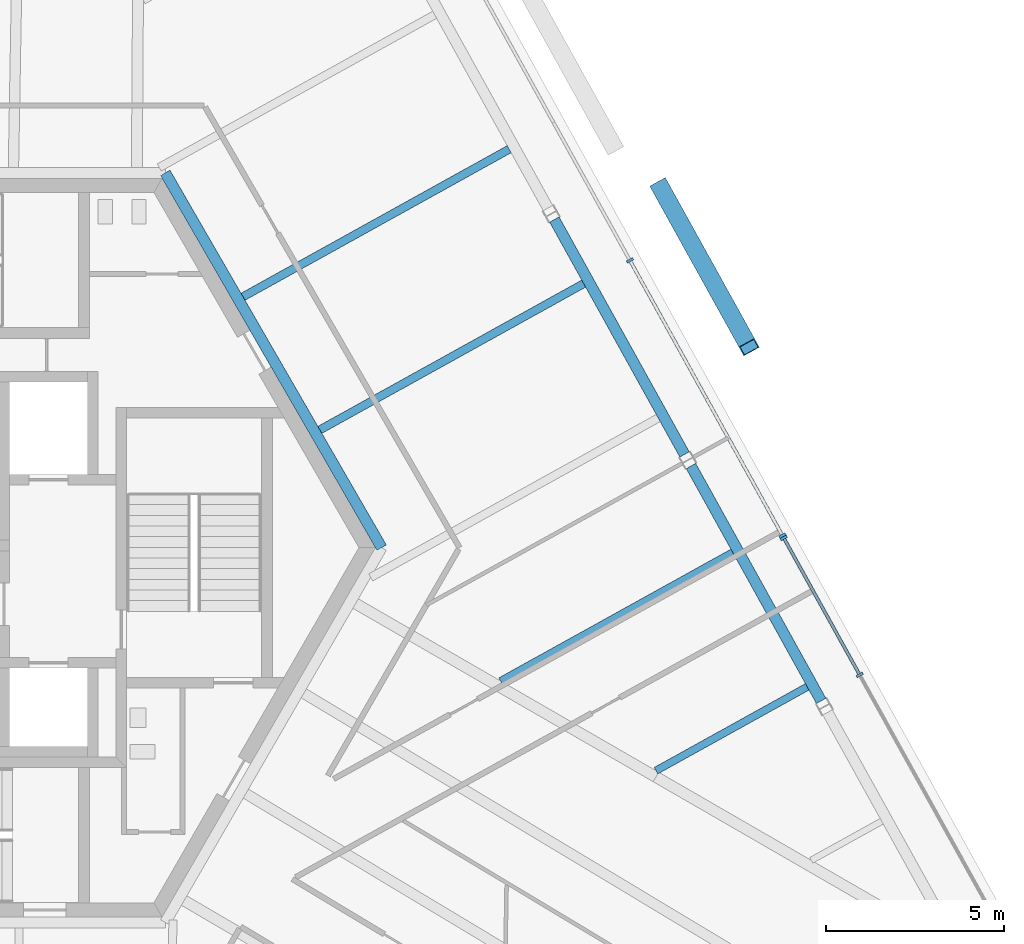
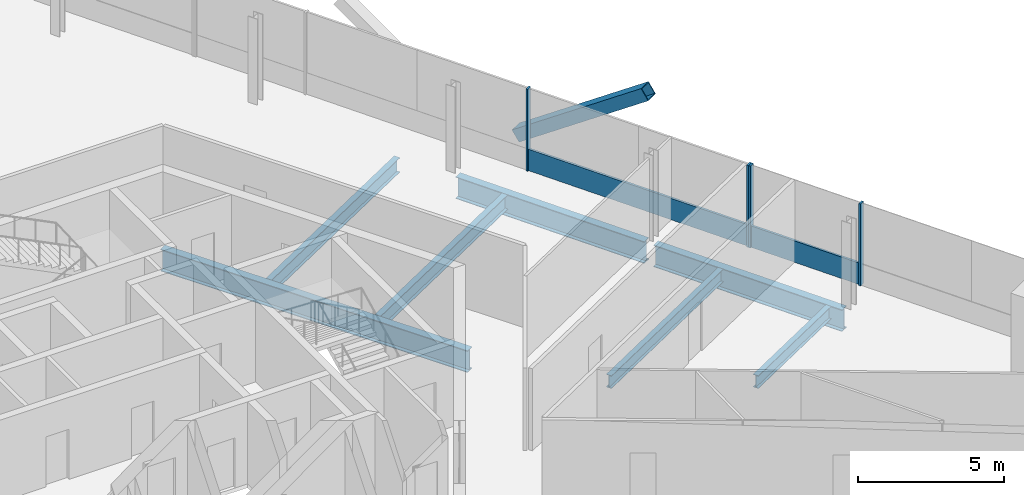
# One storey, part 7 of 18: 7 beams, 7 members, 2 elements without a shape of their own.
"""IFC4 building model written with IfcOpenShell, lengths in metres."""

from ifc_helpers import new_model, si_unit, direction, frame, origin, origin_2d, place, context, subcontext, project, spatial, rectangle, hollow_rectangle, i_section, extrude, source, transform, mapped, material, material_profile, profile_set, type_object, element, aggregate, save


model = new_model("IFC4")

# Units and contexts
model_context = context("Model", 3, precision=1e-05, world=origin(), true_north=direction((0.0, 1.0)))
body_context = subcontext(model_context, "Body", "Model", "MODEL_VIEW")
ifc_project = project(units=[si_unit("LENGTHUNIT", "METRE"), si_unit("AREAUNIT", "SQUARE_METRE"), si_unit("VOLUMEUNIT", "CUBIC_METRE"), si_unit("PLANEANGLEUNIT", "RADIAN"), si_unit("MASSUNIT", "GRAM", prefix="KILO")], contexts=[model_context])

# Site, building, storey
site_placement = place(None, origin())
site = spatial("IfcSite", under=ifc_project, at=site_placement, CompositionType="ELEMENT")
building_placement = place(site_placement, origin())
building = spatial("IfcBuilding", under=site, at=building_placement, Name="Triune Harvest Tower", CompositionType="ELEMENT")
storey_placement = place(building_placement, frame((0.0, 0.0, 197.89990234375)))
storey = spatial("IfcBuildingStorey", under=building, at=storey_placement, Name="L51", CompositionType="ELEMENT", Elevation=197.89990234375)

# Beams
ifc_material_1 = material(Name="Steel ASTM A992 Gr 50", Category="steel")
ifc_material_profile_1 = material_profile(ifc_material_1, i_section(OverallWidth=0.3046875, OverallDepth=0.914306640625, WebThickness=0.0166015625, FlangeThickness=0.02587890625, at=origin_2d()), Name="W36x160")
ifc_profile_set_1 = profile_set([ifc_material_profile_1], Name="Steel ASTM A992 Gr 50")
beam_type_1 = type_object("IfcBeamType", Name="CG-1 Core ring girder W36x160", PredefinedType="BEAM", material=ifc_profile_set_1)
shared_shape_1 = source(origin(), body_context, "Body", "SweptSolid", [
    extrude(i_section(OverallWidth=0.3046875, OverallDepth=0.914306640625, WebThickness=0.0166015625, FlangeThickness=0.02587890625, at=origin_2d()), origin(), (0.0, 0.0, 1.0), 12.176025390625),
])
beam_1_placement = place(storey_placement, frame((12.176025390625, 0.0, -0.6171875), z_axis=(-0.5000099932, 0.866019634131, 0.0), x_axis=(-0.866019634131, -0.5000099932, 0.0)))
element("IfcBeam", 1, at=beam_1_placement, inside=storey, type_object=beam_type_1, Name="beam/L51/CG1", PredefinedType="BEAM", context=body_context, shape_type="MappedRepresentation", body=[
    mapped(shared_shape_1, transform((0.0, 0.0, 0.0), scale=1.0)),
])
ifc_material_2 = material(Name="Steel ASTM A992 Gr 50", Category="steel")
ifc_material_profile_2 = material_profile(ifc_material_2, i_section(OverallWidth=0.3046875, OverallDepth=0.914306640625, WebThickness=0.0166015625, FlangeThickness=0.02587890625, at=origin_2d()), Name="W36x160")
ifc_profile_set_2 = profile_set([ifc_material_profile_2], Name="Steel ASTM A992 Gr 50")
beam_type_2 = type_object("IfcBeamType", Name="SB-1 Spandrel beam W36x160", PredefinedType="SPANDREL", material=ifc_profile_set_2)
shared_shape_2 = source(origin(), body_context, "Body", "SweptSolid", [
    extrude(i_section(OverallWidth=0.3046875, OverallDepth=0.914306640625, WebThickness=0.0166015625, FlangeThickness=0.02587890625, at=origin_2d()), origin(), (0.0, 0.0, 1.0), 7.556396484375),
])
for number, where, z_axis, x_axis, name in (
    (2, (24.542236328125, -4.311279296875, -0.6171875), (-0.484806011206, 0.874621707654, 0.0), (-0.874621707654, -0.484806011206, 0.0), "beam/L51/SB2"),
    (3, (20.698974609375, 2.6220703125, -0.6171875), (-0.484806011206, 0.874621707654, 0.0), (-0.874621707654, -0.484806011206, 0.0), "beam/L51/SB3"),
):
    element("IfcBeam", number, at=place(storey_placement, frame(where, z_axis=z_axis, x_axis=x_axis)), inside=storey, type_object=beam_type_2, Name=name, PredefinedType="SPANDREL", context=body_context, shape_type="MappedRepresentation", body=[
        mapped(shared_shape_2, transform((0.0, 0.0, 0.0), scale=1.0)),
    ])
ifc_material_3 = material(Name="Steel ASTM A992 Gr 50", Category="steel")
ifc_material_profile_3 = material_profile(ifc_material_3, i_section(OverallWidth=0.2099609375, OverallDepth=0.535888671875, WebThickness=0.010986328125, FlangeThickness=0.017333984375, at=origin_2d()), Name="W21x68")
ifc_profile_set_3 = profile_set([ifc_material_profile_3], Name="Steel ASTM A992 Gr 50")
beam_type_3 = type_object("IfcBeamType", Name="JT-2 Floor joist W21x68", PredefinedType="JOIST", material=ifc_profile_set_3)
shared_shape_3 = source(origin(), body_context, "Body", "SweptSolid", [
    extrude(i_section(OverallWidth=0.2099609375, OverallDepth=0.535888671875, WebThickness=0.010986328125, FlangeThickness=0.017333984375, at=origin_2d()), origin(), (0.0, 0.0, 1.0), 4.8642578125),
])
beam_2_placement = place(storey_placement, frame((24.1494140625, -3.9169921875, -0.427978515625), z_axis=(-0.874606715021, -0.484833057908, 0.0), x_axis=(0.484833057908, -0.874606715021, 0.0)))
element("IfcBeam", 4, at=beam_2_placement, inside=storey, type_object=beam_type_3, Name="beam/L51/JT2", PredefinedType="JOIST", context=body_context, shape_type="MappedRepresentation", body=[
    mapped(shared_shape_3, transform((0.0, 0.0, 0.0), scale=1.0)),
])
shared_shape_4 = source(origin(), body_context, "Body", "SweptSolid", [
    extrude(i_section(OverallWidth=0.2099609375, OverallDepth=0.535888671875, WebThickness=0.010986328125, FlangeThickness=0.017333984375, at=origin_2d()), origin(), (0.0, 0.0, 1.0), 7.46240234375),
])
beam_3_placement = place(storey_placement, frame((22.052978515625, -0.13525390625, -0.427978515625), z_axis=(-0.87461829469, -0.484812168363, 0.0), x_axis=(0.484812168363, -0.87461829469, 0.0)))
element("IfcBeam", 5, at=beam_3_placement, inside=storey, type_object=beam_type_3, Name="beam/L51/JT3", PredefinedType="JOIST", context=body_context, shape_type="MappedRepresentation", body=[
    mapped(shared_shape_4, transform((0.0, 0.0, 0.0), scale=1.0)),
])
ifc_material_4 = material(Name="Steel ASTM A992 Gr 50", Category="steel")
ifc_material_profile_4 = material_profile(ifc_material_4, i_section(OverallWidth=0.22900390625, OverallDepth=0.612060546875, WebThickness=0.011962890625, FlangeThickness=0.01953125, at=origin_2d()), Name="W24x84")
ifc_profile_set_4 = profile_set([ifc_material_profile_4], Name="Steel ASTM A992 Gr 50")
beam_type_4 = type_object("IfcBeamType", Name="JT-3 Floor joist W24x84", PredefinedType="JOIST", material=ifc_profile_set_4)
shared_shape_5 = source(origin(), body_context, "Body", "SweptSolid", [
    extrude(i_section(OverallWidth=0.22900390625, OverallDepth=0.612060546875, WebThickness=0.011962890625, FlangeThickness=0.01953125, at=origin_2d()), origin(), (0.0, 0.0, 1.0), 8.486083984375),
])
beam_4_placement = place(storey_placement, frame((17.860595703125, 7.42822265625, -0.466064453125), z_axis=(-0.874626410095, -0.484797527598, 0.0), x_axis=(0.484797527598, -0.874626410095, 0.0)))
element("IfcBeam", 6, at=beam_4_placement, inside=storey, type_object=beam_type_4, Name="beam/L51/JT5", PredefinedType="JOIST", context=body_context, shape_type="MappedRepresentation", body=[
    mapped(shared_shape_5, transform((0.0, 0.0, 0.0), scale=1.0)),
])
shared_shape_6 = source(origin(), body_context, "Body", "SweptSolid", [
    extrude(i_section(OverallWidth=0.22900390625, OverallDepth=0.612060546875, WebThickness=0.011962890625, FlangeThickness=0.01953125, at=origin_2d()), origin(), (0.0, 0.0, 1.0), 8.561767578125),
])
beam_5_placement = place(storey_placement, frame((15.764404296875, 11.210205078125, -0.466064453125), z_axis=(-0.87461689263, -0.484814697721, 0.0), x_axis=(0.484814697721, -0.87461689263, 0.0)))
element("IfcBeam", 7, at=beam_5_placement, inside=storey, type_object=beam_type_4, Name="beam/L51/JT6", PredefinedType="JOIST", context=body_context, shape_type="MappedRepresentation", body=[
    mapped(shared_shape_6, transform((0.0, 0.0, 0.0), scale=1.0)),
])

# Member
ifc_material_5 = material(Name="Steel ASTM A572 Gr 50", Category="steel")
ifc_material_profile_5 = material_profile(ifc_material_5, hollow_rectangle(XDim=0.5, YDim=0.5, WallThickness=0.030029296875, at=origin_2d()), Name="Box 500x500x30")
ifc_profile_set_5 = profile_set([ifc_material_profile_5], Name="Steel ASTM A572 Gr 50")
member_type_1 = type_object("IfcMemberType", Name="BR-3 Brace Box 500x500x30", PredefinedType="BRACE", material=ifc_profile_set_5)
shared_shape_7 = source(origin(), body_context, "Body", "SweptSolid", [
    extrude(hollow_rectangle(XDim=0.5, YDim=0.5, WallThickness=0.030029296875, at=origin_2d()), origin(), (0.0, 0.0, 1.0), 6.302978515625),
])
member_1_placement = place(storey_placement, frame((20.006591796875, 10.16650390625, 0.0), z_axis=(0.397957445463, -0.717903766226, 0.571177777963), x_axis=(0.874610982048, 0.484825360395, 0.0)))
element("IfcMember", 8, at=member_1_placement, inside=storey, type_object=member_type_1, Name="brace/B5-F1/d2/6", PredefinedType="BRACE", context=body_context, shape_type="MappedRepresentation", body=[
    mapped(shared_shape_7, transform((0.0, 0.0, 0.0), scale=1.0)),
])

# Curtain wall, members
ifc_material_6 = material(Name="Aluminium bronze anodised", Category="aluminium")
curtain_wall_type_1 = type_object("IfcCurtainWallType", Name="CW-1 Tower stick curtain wall", PredefinedType="NOTDEFINED", material=ifc_material_6)
curtain_wall_1_placement = place(storey_placement, origin())
curtain_wall_1 = element("IfcCurtainWall", 9, at=curtain_wall_1_placement, inside=storey, type_object=curtain_wall_type_1, Name="CW-1 B5-F1 L51 run 1")
ifc_material_7 = material(Name="Aluminium bronze anodised", Category="aluminium")
ifc_material_profile_6 = material_profile(ifc_material_7, rectangle(XDim=0.199951171875, YDim=0.074951171875, at=origin_2d()), Name="MU-1 mullion 75 x 200")
ifc_profile_set_6 = profile_set([ifc_material_profile_6], Name="Aluminium bronze anodised")
member_type_2 = type_object("IfcMemberType", Name="MU-1 mullion 75 x 200", PredefinedType="MULLION", material=ifc_profile_set_6)
shared_shape_8 = source(origin(), body_context, "Body", "SweptSolid", [
    extrude(rectangle(XDim=0.199951171875, YDim=0.074951171875, at=origin_2d()), origin(), (0.0, 0.0, 1.0), 3.440185546875),
])
member_2_placement = place(storey_placement, frame((25.625732421875, -3.580322265625, 0.0), z_axis=(0.0, 0.0, 1.0), x_axis=(-0.874620747076, -0.484807744147, 0.0)))
member_2 = element("IfcMember", 10, at=member_2_placement, type_object=member_type_2, Name="CW-1 mullion B5-F1 1.3", PredefinedType="MULLION", context=body_context, shape_type="MappedRepresentation", body=[
    mapped(shared_shape_8, transform((0.0, 0.0, 0.0), scale=1.0)),
])
member_3_placement = place(storey_placement, frame((23.4892578125, 0.27392578125, 0.0), z_axis=(0.0, 0.0, 1.0), x_axis=(-0.874620747076, -0.484807744147, 0.0)))
member_3 = element("IfcMember", 11, at=member_3_placement, type_object=member_type_2, Name="CW-1 mullion B5-F1 1.4", PredefinedType="MULLION", context=body_context, shape_type="MappedRepresentation", body=[
    mapped(shared_shape_8, transform((0.0, 0.0, 0.0), scale=1.0)),
])

ifc_material_8 = material(Name="Aluminium bronze anodised", Category="aluminium")
curtain_wall_type_2 = type_object("IfcCurtainWallType", Name="CW-7 Tower stick curtain wall with insulated spandrel infill", PredefinedType="NOTDEFINED", material=ifc_material_8)
curtain_wall_2_placement = place(storey_placement, origin())
curtain_wall_2 = element("IfcCurtainWall", 12, at=curtain_wall_2_placement, inside=storey, type_object=curtain_wall_type_2, Name="CW-7 B5-F1 L51 run 1001")
member_4_placement = place(storey_placement, frame((23.452880859375, 0.339599609375, 0.0), z_axis=(0.0, 0.0, 1.0), x_axis=(-0.874619845993, -0.484809369748, 0.0)))
member_4 = element("IfcMember", 13, at=member_4_placement, type_object=member_type_2, Name="CW-7 mullion B5-F1 1001.1", PredefinedType="MULLION", context=body_context, shape_type="MappedRepresentation", body=[
    mapped(shared_shape_8, transform((0.0, 0.0, 0.0), scale=1.0)),
])
member_5_placement = place(storey_placement, frame((19.161865234375, 8.080810546875, 0.0), z_axis=(0.0, 0.0, 1.0), x_axis=(-0.874619845993, -0.484809369748, 0.0)))
member_5 = element("IfcMember", 14, at=member_5_placement, type_object=member_type_2, Name="CW-7 mullion B5-F1 1001.3", PredefinedType="MULLION", context=body_context, shape_type="MappedRepresentation", body=[
    mapped(shared_shape_8, transform((0.0, 0.0, 0.0), scale=1.0)),
])
ifc_material_9 = material(Name="Aluminium bronze anodised", Category="aluminium")
ifc_material_profile_7 = material_profile(ifc_material_9, rectangle(XDim=0.090087890625, YDim=0.89990234375, at=origin_2d()), Name="TR-1 transom 90 x 900")
ifc_profile_set_7 = profile_set([ifc_material_profile_7], Name="Aluminium bronze anodised")
member_type_3 = type_object("IfcMemberType", Name="TR-1 transom 90 x 900", PredefinedType="USERDEFINED", material=ifc_profile_set_7)
shared_shape_9 = source(origin(), body_context, "Body", "SweptSolid", [
    extrude(rectangle(XDim=0.090087890625, YDim=0.89990234375, at=origin_2d()), origin(), (0.0, 0.0, 1.0), 8.776123046875),
])
member_6_placement = place(storey_placement, frame((23.434814453125, 0.372314453125, 0.4501953125), z_axis=(-0.484820758648, 0.87461353293, 0.0), x_axis=(-0.87461353293, -0.484820758648, 0.0)))
member_6 = element("IfcMember", 15, at=member_6_placement, type_object=member_type_3, Name="CW-7 transom B5-F1 1001.1", ObjectType="TRANSOM", PredefinedType="USERDEFINED", context=body_context, shape_type="MappedRepresentation", body=[
    mapped(shared_shape_9, transform((0.0, 0.0, 0.0), scale=1.0)),
])
aggregate(curtain_wall_2, [member_4, member_5, member_6])

# Member
shared_shape_10 = source(origin(), body_context, "Body", "SweptSolid", [
    extrude(rectangle(XDim=0.090087890625, YDim=0.89990234375, at=origin_2d()), origin(), (0.0, 0.0, 1.0), 4.33154296875),
])
member_7_placement = place(storey_placement, frame((25.607421875, -3.54736328125, 0.4501953125), z_axis=(-0.484776513386, 0.874638057752, 0.0), x_axis=(-0.874638057752, -0.484776513386, 0.0)))
member_7 = element("IfcMember", 16, at=member_7_placement, type_object=member_type_3, Name="CW-1 transom B5-F1 1.2", ObjectType="TRANSOM", PredefinedType="USERDEFINED", context=body_context, shape_type="MappedRepresentation", body=[
    mapped(shared_shape_10, transform((0.0, 0.0, 0.0), scale=1.0)),
])

aggregate(curtain_wall_1, [member_2, member_3, member_7])

save(model, "model.ifc")
